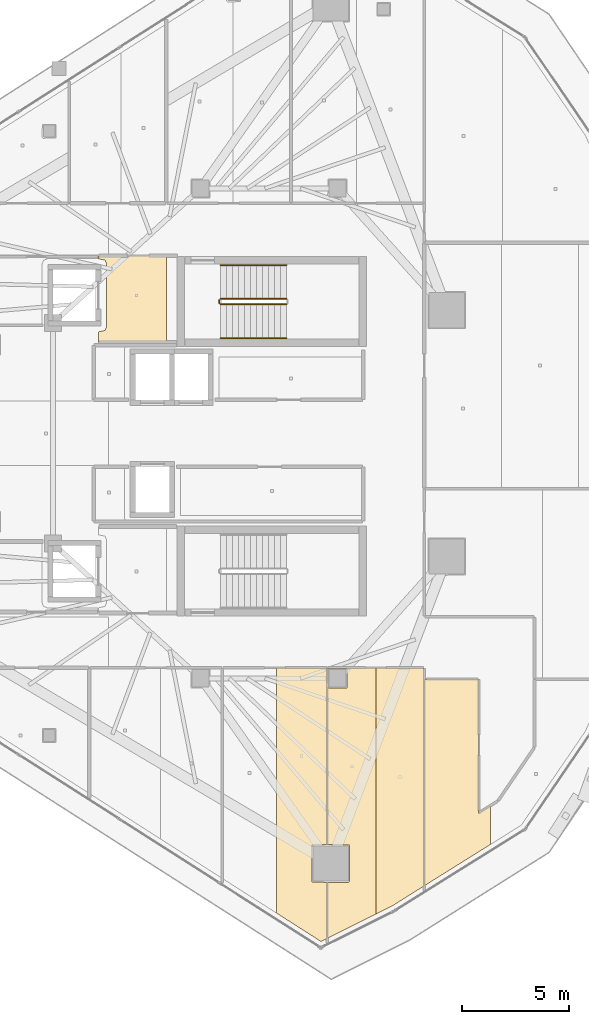
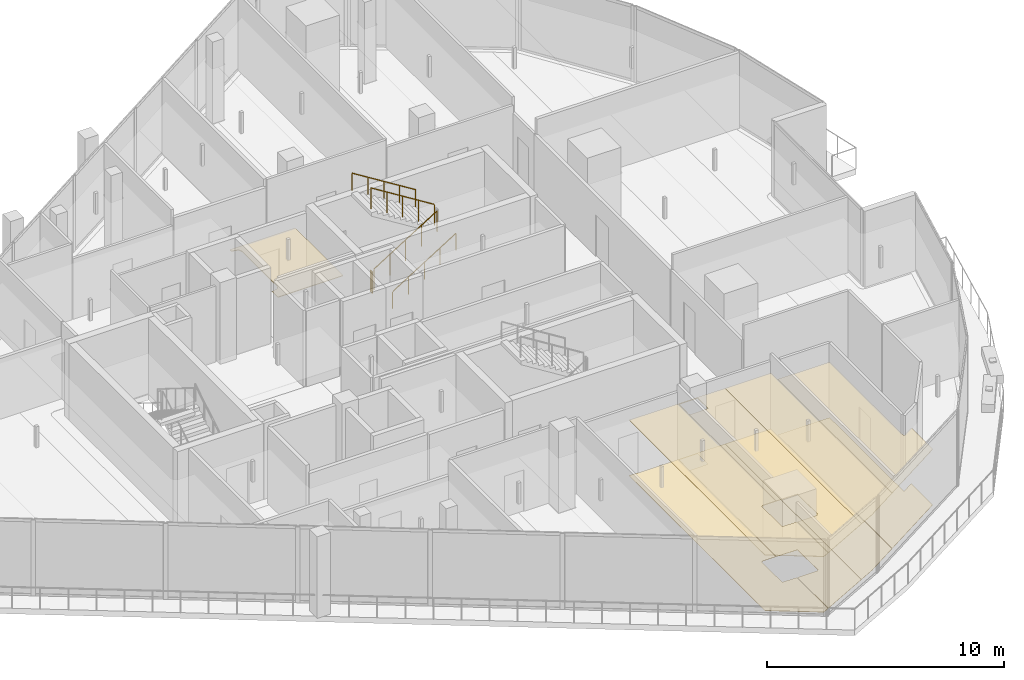
# One storey, part 34 of 36: 9 coverings, 5 railings.
"""IFC4 building model written with IfcOpenShell, lengths in metres."""

from ifc_helpers import new_model, si_unit, direction, frame, origin, origin_2d, place, context, subcontext, project, spatial, polyline, circle, outline, extrude, material, layer, layer_set, type_object, element, save


model = new_model("IFC4")

# Units and contexts
model_context = context("Model", 3, precision=1e-05, world=origin(), true_north=direction((0.0, 1.0)))
body_context = subcontext(model_context, "Body", "Model", "MODEL_VIEW")
ifc_project = project(units=[si_unit("LENGTHUNIT", "METRE"), si_unit("AREAUNIT", "SQUARE_METRE"), si_unit("VOLUMEUNIT", "CUBIC_METRE"), si_unit("PLANEANGLEUNIT", "RADIAN"), si_unit("MASSUNIT", "GRAM", prefix="KILO")], contexts=[model_context])

# Site, building, storey
site_placement = place(None, origin())
site = spatial("IfcSite", under=ifc_project, at=site_placement, CompositionType="ELEMENT")
building_placement = place(site_placement, origin())
building = spatial("IfcBuilding", under=site, at=building_placement, Name="Qorvath Tower", CompositionType="ELEMENT")
storey_placement = place(building_placement, frame((0.0, 0.0, 272.39990234375)))
storey = spatial("IfcBuildingStorey", under=building, at=storey_placement, Name="L63", CompositionType="ELEMENT", Elevation=272.39990234375)

# Coverings
ifc_material_1 = material(Name="Acoustic mineral fibre ceiling tile", Category="gypsum")
ifc_layer_1 = layer(ifc_material_1, 0.030029296875)
ifc_layer_set_1 = layer_set([ifc_layer_1], Name="COV-CEIL")
covering_type_1 = type_object("IfcCoveringType", Name="COV-CEIL", PredefinedType="CEILING", material=ifc_layer_set_1)
covering_1_placement = place(storey_placement, frame((0.0, 0.0, 2.85009765625)))
element("IfcCovering", 1, at=covering_1_placement, inside=storey, type_object=covering_type_1, Name="L63 Suspended Acoustic Ceiling 001", PredefinedType="CEILING", context=body_context, shape_type="SweptSolid", body=[
    extrude(outline(polyline([(-25.18994140625, 4.2548828125), (-25.18994140625, 8.294921875), (-28.375, 8.294921875), (-28.375, 8.159912109375), (-28.063232421875, 8.086669921875), (-27.989990234375, 7.909912109375), (-27.989990234375, 4.989990234375), (-28.063232421875, 4.813232421875), (-28.375, 4.739990234375), (-28.375, 4.2548828125), (-25.18994140625, 4.2548828125)])), origin(), (0.0, 0.0, 1.0), 0.030029296875),
])
covering_2_placement = place(storey_placement, frame((0.0, 0.0, 2.85009765625)))
element("IfcCovering", 2, at=covering_2_placement, inside=storey, type_object=covering_type_1, Name="L63 Suspended Acoustic Ceiling 023", PredefinedType="CEILING", context=body_context, shape_type="SweptSolid", body=[
    extrude(outline(polyline([(-17.96875, -23.75439453125), (-17.680908203125, -23.610595703125), (-17.680908203125, -20.986572265625), (-18.3828125, -20.968994140625), (-18.400390625, -19.276611328125), (-18.340576171875, -19.216552734375), (-17.680908203125, -19.216552734375), (-17.680908203125, -10.962890625), (-20.063232421875, -10.962890625), (-20.063232421875, -22.416015625), (-17.96875, -23.75439453125)])), origin(), (0.0, 0.0, 1.0), 0.030029296875),
])
covering_3_placement = place(storey_placement, frame((0.0, 0.0, 2.85009765625)))
element("IfcCovering", 3, at=covering_3_placement, inside=storey, type_object=covering_type_1, Name="L63 Suspended Acoustic Ceiling 024", PredefinedType="CEILING", context=body_context, shape_type="SweptSolid", body=[
    extrude(outline(polyline([(-17.662841796875, -20.986572265625), (-17.662841796875, -23.6015625), (-15.398681640625, -22.469482421875), (-15.398681640625, -10.962890625), (-17.662841796875, -10.962890625), (-17.662841796875, -19.216552734375), (-16.648193359375, -19.234130859375), (-16.630615234375, -20.926513671875), (-16.6904296875, -20.986572265625), (-17.662841796875, -20.986572265625)]), holes=[polyline([(-17.659912109375, -11.85009765625), (-17.642333984375, -11.007568359375), (-16.757568359375, -11.007568359375), (-16.757568359375, -11.892333984375), (-17.60009765625, -11.909912109375), (-17.659912109375, -11.85009765625)])]), origin(), (0.0, 0.0, 1.0), 0.030029296875),
])
covering_4_placement = place(storey_placement, frame((0.0, 0.0, 2.85009765625)))
element("IfcCovering", 4, at=covering_4_placement, inside=storey, type_object=covering_type_1, Name="L63 Suspended Acoustic Ceiling 025", PredefinedType="CEILING", context=body_context, shape_type="SweptSolid", body=[
    extrude(outline(polyline([(-15.398681640625, -10.962890625), (-15.398681640625, -22.469482421875), (-14.673828125, -22.107177734375), (-13.155029296875, -21.156982421875), (-13.155029296875, -10.962890625), (-15.398681640625, -10.962890625)])), origin(), (0.0, 0.0, 1.0), 0.030029296875),
])
covering_5_placement = place(storey_placement, frame((0.0, 0.0, 2.85009765625)))
element("IfcCovering", 5, at=covering_5_placement, inside=storey, type_object=covering_type_1, Name="L63 Suspended Acoustic Ceiling 026", PredefinedType="CEILING", context=body_context, shape_type="SweptSolid", body=[
    extrude(outline(polyline([(-13.136962890625, -11.497802734375), (-13.136962890625, -21.145751953125), (-10.048583984375, -19.213623046875), (-10.048583984375, -17.40576171875), (-10.608642578125, -17.755615234375), (-10.613037109375, -11.497802734375), (-13.136962890625, -11.497802734375)])), origin(), (0.0, 0.0, 1.0), 0.030029296875),
])
ifc_material_2 = material(Name="Low-VOC modular carpet tile", Category="textile")
ifc_layer_2 = layer(ifc_material_2, 0.014892578125)
ifc_layer_set_2 = layer_set([ifc_layer_2], Name="COV-FLOOR-CPT")
covering_type_2 = type_object("IfcCoveringType", Name="COV-FLOOR-CPT", PredefinedType="FLOORING", material=ifc_layer_set_2)
covering_6_placement = place(storey_placement, origin())
element("IfcCovering", 6, at=covering_6_placement, inside=storey, type_object=covering_type_2, Name="L63 Floor Finish 023", PredefinedType="FLOORING", context=body_context, shape_type="SweptSolid", body=[
    extrude(outline(polyline([(-17.96875, -23.75439453125), (-17.680908203125, -23.610595703125), (-17.680908203125, -20.986572265625), (-18.3828125, -20.968994140625), (-18.400390625, -19.276611328125), (-18.340576171875, -19.216552734375), (-17.680908203125, -19.216552734375), (-17.680908203125, -10.962890625), (-20.063232421875, -10.962890625), (-20.063232421875, -22.416015625), (-17.96875, -23.75439453125)])), origin(), (0.0, 0.0, 1.0), 0.01513671875),
])
covering_7_placement = place(storey_placement, origin())
element("IfcCovering", 7, at=covering_7_placement, inside=storey, type_object=covering_type_2, Name="L63 Floor Finish 024", PredefinedType="FLOORING", context=body_context, shape_type="SweptSolid", body=[
    extrude(outline(polyline([(-17.662841796875, -20.986572265625), (-17.662841796875, -23.6015625), (-15.398681640625, -22.469482421875), (-15.398681640625, -10.962890625), (-17.662841796875, -10.962890625), (-17.662841796875, -19.216552734375), (-16.648193359375, -19.234130859375), (-16.630615234375, -20.926513671875), (-16.6904296875, -20.986572265625), (-17.662841796875, -20.986572265625)]), holes=[polyline([(-17.659912109375, -11.85009765625), (-17.642333984375, -11.007568359375), (-16.757568359375, -11.007568359375), (-16.757568359375, -11.892333984375), (-17.60009765625, -11.909912109375), (-17.659912109375, -11.85009765625)])]), origin(), (0.0, 0.0, 1.0), 0.01513671875),
])
covering_8_placement = place(storey_placement, origin())
element("IfcCovering", 8, at=covering_8_placement, inside=storey, type_object=covering_type_2, Name="L63 Floor Finish 025", PredefinedType="FLOORING", context=body_context, shape_type="SweptSolid", body=[
    extrude(outline(polyline([(-15.398681640625, -10.962890625), (-15.398681640625, -22.469482421875), (-14.673828125, -22.107177734375), (-13.155029296875, -21.156982421875), (-13.155029296875, -10.962890625), (-15.398681640625, -10.962890625)])), origin(), (0.0, 0.0, 1.0), 0.01513671875),
])
covering_9_placement = place(storey_placement, origin())
element("IfcCovering", 9, at=covering_9_placement, inside=storey, type_object=covering_type_2, Name="L63 Floor Finish 026", PredefinedType="FLOORING", context=body_context, shape_type="SweptSolid", body=[
    extrude(outline(polyline([(-13.136962890625, -11.497802734375), (-13.136962890625, -21.145751953125), (-10.048583984375, -19.213623046875), (-10.048583984375, -17.40576171875), (-10.608642578125, -17.755615234375), (-10.613037109375, -11.497802734375), (-13.136962890625, -11.497802734375)])), origin(), (0.0, 0.0, 1.0), 0.01513671875),
])

# Railings
ifc_material_3 = material(Name="Painted galvanised steel", Category="steel")
railing_type_1 = type_object("IfcRailingType", Name="RL-STR-GRD", PredefinedType="GUARDRAIL", material=ifc_material_3)
railing_1_placement = place(storey_placement, frame((-22.669921875, 6.030029296875, 0.175048828125)))
element("IfcRailing", 10, at=railing_1_placement, inside=storey, type_object=railing_type_1, Name="L63 TS1 stair guard 1", PredefinedType="GUARDRAIL", context=body_context, shape_type="SweptSolid", body=[
    extrude(circle(Radius=0.02392578125, at=origin_2d()), frame((0.0, 0.0, 1.076171875), z_axis=(0.847979421464, 0.0, 0.530029150871), x_axis=(0.0, 1.0, 0.0)), (0.0, 0.0, 1.0), 3.632080078125),
    extrude(circle(Radius=0.02099609375, at=origin_2d()), origin(), (0.0, 0.0, 1.0), 1.052001953125),
    extrude(circle(Radius=0.02099609375, at=origin_2d()), frame((0.77001953125, 0.0, 0.481201171875)), (0.0, 0.0, 1.0), 1.052001953125),
    extrude(circle(Radius=0.02099609375, at=origin_2d()), frame((1.5400390625, 0.0, 0.96240234375)), (0.0, 0.0, 1.0), 1.052001953125),
    extrude(circle(Radius=0.02099609375, at=origin_2d()), frame((2.309814453125, 0.0, 1.44384765625)), (0.0, 0.0, 1.0), 1.052001953125),
    extrude(circle(Radius=0.02099609375, at=origin_2d()), frame((3.079833984375, 0.0, 1.925048828125)), (0.0, 0.0, 1.0), 1.052001953125),
])
railing_2_placement = place(storey_placement, frame((-19.590087890625, 6.280029296875, 2.275146484375)))
element("IfcRailing", 11, at=railing_2_placement, inside=storey, type_object=railing_type_1, Name="L63 TS1 stair guard 3", PredefinedType="GUARDRAIL", context=body_context, shape_type="SweptSolid", body=[
    extrude(circle(Radius=0.02392578125, at=origin_2d()), frame((0.0, 0.0, 1.076171875), z_axis=(-0.847979421464, 0.0, 0.530029150871), x_axis=(0.0, -1.0, 0.0)), (0.0, 0.0, 1.0), 3.632080078125),
    extrude(circle(Radius=0.02099609375, at=origin_2d()), origin(), (0.0, 0.0, 1.0), 1.052001953125),
    extrude(circle(Radius=0.02099609375, at=origin_2d()), frame((-0.77001953125, 0.0, 0.481201171875)), (0.0, 0.0, 1.0), 1.052001953125),
    extrude(circle(Radius=0.02099609375, at=origin_2d()), frame((-1.5400390625, 0.0, 0.96240234375)), (0.0, 0.0, 1.0), 1.052001953125),
    extrude(circle(Radius=0.02099609375, at=origin_2d()), frame((-2.309814453125, 0.0, 1.44384765625)), (0.0, 0.0, 1.0), 1.052001953125),
    extrude(circle(Radius=0.02099609375, at=origin_2d()), frame((-3.079833984375, 0.0, 1.925048828125)), (0.0, 0.0, 1.0), 1.052001953125),
])
railing_3_placement = place(storey_placement, frame((-22.719970703125, 6.080078125, 0.0)))
element("IfcRailing", 12, at=railing_3_placement, inside=storey, type_object=railing_type_1, Name="L63 TS1 stair guard 4", PredefinedType="GUARDRAIL", context=body_context, shape_type="SweptSolid", body=[
    extrude(circle(Radius=0.02392578125, at=origin_2d()), frame((0.0, 0.0, 1.076171875), z_axis=(0.0, 1.0, 0.0), x_axis=(-1.0, 0.0, 0.0)), (0.0, 0.0, 1.0), 0.14990234375),
    extrude(circle(Radius=0.02099609375, at=origin_2d()), origin(), (0.0, 0.0, 1.0), 1.052001953125),
    extrude(circle(Radius=0.02099609375, at=origin_2d()), frame((0.0, 0.14990234375, 0.0)), (0.0, 0.0, 1.0), 1.052001953125),
])
ifc_material_4 = material(Name="Brushed stainless steel AISI 304", Category="steel")
railing_type_2 = type_object("IfcRailingType", Name="RL-STR-HND", PredefinedType="HANDRAIL", material=ifc_material_4)
railing_4_placement = place(storey_placement, frame((-22.669921875, 4.449951171875, 0.175048828125)))
element("IfcRailing", 13, at=railing_4_placement, inside=storey, type_object=railing_type_2, Name="L63 TS1 stair handrail 1", PredefinedType="HANDRAIL", context=body_context, shape_type="SweptSolid", body=[
    extrude(circle(Radius=0.02392578125, at=origin_2d()), frame((0.0, 0.0, 0.8759765625), z_axis=(0.847979421464, 0.0, 0.530029150871), x_axis=(0.0, 1.0, 0.0)), (0.0, 0.0, 1.0), 3.632080078125),
    extrude(circle(Radius=0.02099609375, at=origin_2d()), origin(), (0.0, 0.0, 1.0), 0.851806640625),
    extrude(circle(Radius=0.02099609375, at=origin_2d()), frame((0.77001953125, 0.0, 0.481201171875)), (0.0, 0.0, 1.0), 0.851806640625),
    extrude(circle(Radius=0.02099609375, at=origin_2d()), frame((1.5400390625, 0.0, 0.96240234375)), (0.0, 0.0, 1.0), 0.851806640625),
    extrude(circle(Radius=0.02099609375, at=origin_2d()), frame((2.309814453125, 0.0, 1.44384765625)), (0.0, 0.0, 1.0), 0.851806640625),
    extrude(circle(Radius=0.02099609375, at=origin_2d()), frame((3.079833984375, 0.0, 1.925048828125)), (0.0, 0.0, 1.0), 0.851806640625),
])
railing_5_placement = place(storey_placement, frame((-19.590087890625, 7.860107421875, 2.275146484375)))
element("IfcRailing", 14, at=railing_5_placement, inside=storey, type_object=railing_type_2, Name="L63 TS1 stair handrail 2", PredefinedType="HANDRAIL", context=body_context, shape_type="SweptSolid", body=[
    extrude(circle(Radius=0.02392578125, at=origin_2d()), frame((0.0, 0.0, 0.8759765625), z_axis=(-0.847979421464, 0.0, 0.530029150871), x_axis=(0.0, -1.0, 0.0)), (0.0, 0.0, 1.0), 3.632080078125),
    extrude(circle(Radius=0.02099609375, at=origin_2d()), origin(), (0.0, 0.0, 1.0), 0.851806640625),
    extrude(circle(Radius=0.02099609375, at=origin_2d()), frame((-0.77001953125, 0.0, 0.481201171875)), (0.0, 0.0, 1.0), 0.851806640625),
    extrude(circle(Radius=0.02099609375, at=origin_2d()), frame((-1.5400390625, 0.0, 0.96240234375)), (0.0, 0.0, 1.0), 0.851806640625),
    extrude(circle(Radius=0.02099609375, at=origin_2d()), frame((-2.309814453125, 0.0, 1.44384765625)), (0.0, 0.0, 1.0), 0.851806640625),
    extrude(circle(Radius=0.02099609375, at=origin_2d()), frame((-3.079833984375, 0.0, 1.925048828125)), (0.0, 0.0, 1.0), 0.851806640625),
])

save(model, "model.ifc")
